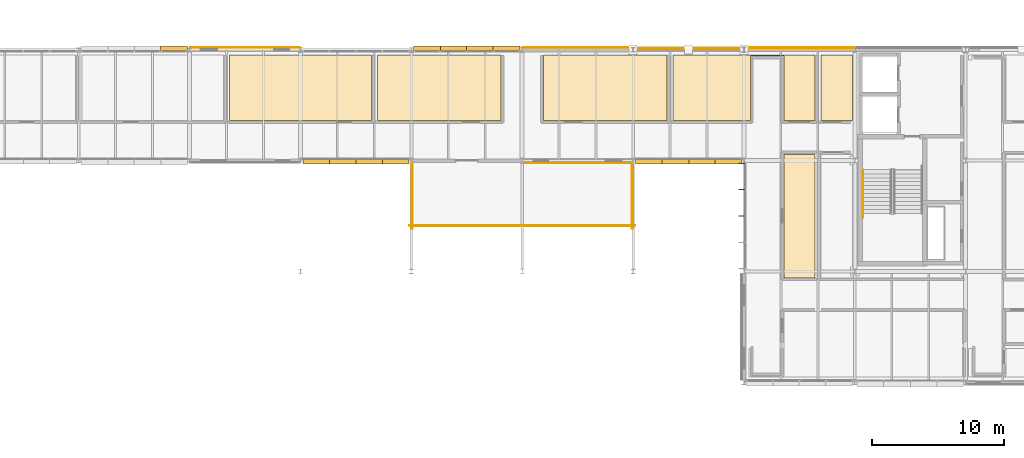
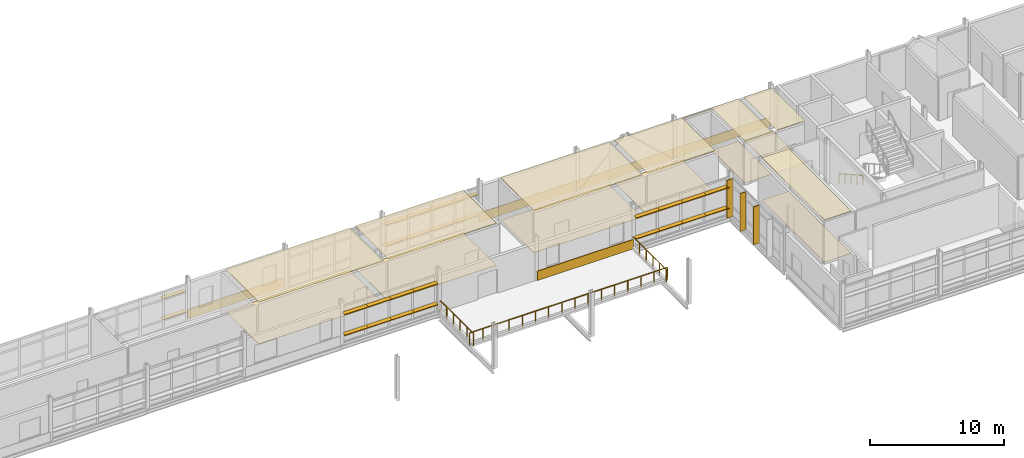
# One storey, part 54 of 57: 29 shading devices, 17 coverings, 4 railings.
"""IFC4 building model written with IfcOpenShell, lengths in metres."""

from ifc_helpers import new_model, si_unit, direction, frame, origin, origin_2d, place, context, subcontext, project, spatial, polyline, rectangle, circle, outline, extrude, material, layer, layer_set, type_object, element, save


model = new_model("IFC4")

# Units and contexts
model_context = context("Model", 3, precision=1e-05, world=origin(), true_north=direction((0.0, 1.0)))
body_context = subcontext(model_context, "Body", "Model", "MODEL_VIEW")
ifc_project = project(units=[si_unit("LENGTHUNIT", "METRE"), si_unit("AREAUNIT", "SQUARE_METRE"), si_unit("VOLUMEUNIT", "CUBIC_METRE"), si_unit("PLANEANGLEUNIT", "RADIAN"), si_unit("MASSUNIT", "GRAM", prefix="KILO")], contexts=[model_context])

# Site, building, storey
site_placement = place(None, origin())
site = spatial("IfcSite", under=ifc_project, at=site_placement, CompositionType="ELEMENT")
building_placement = place(site_placement, origin())
building = spatial("IfcBuilding", under=site, at=building_placement, Name="Mersafa Astral City Hall", CompositionType="ELEMENT")
storey_placement = place(building_placement, frame((0.0, 0.0, 26.10009765625)))
storey = spatial("IfcBuildingStorey", under=building, at=storey_placement, Name="L06", CompositionType="ELEMENT", Elevation=26.10009765625)

# Coverings
ifc_material_1 = material(Name="Cairo Mokattam buff limestone cladding", Category="masonry")
ifc_layer_1 = layer(ifc_material_1, 0.06005859375, Name="Cairo Mokattam buff limestone cladding")
ifc_layer_set_1 = layer_set([ifc_layer_1], Name="Cairo Mokattam buff limestone cladding — ENV-COV-LIMESTONE-60")
covering_type_1 = type_object("IfcCoveringType", Name="ENV-COV-LIMESTONE-60", PredefinedType="CLADDING", material=ifc_layer_set_1)
for number, where, z_axis, x_axis, name in (
    (1, (147.0, 126.14697265625, 0.0), (0.0, 0.0, 1.0), (-1.0, 0.0, 0.0), "L06 Cairo buff limestone rainscreen cladding 353"),
    (2, (138.60009765625, 126.139404296875, 0.0), (0.0, 0.0, 1.0), (-1.0, 0.0, 0.0), "L06 Cairo buff limestone rainscreen cladding 354"),
    (3, (130.199951171875, 126.177001953125, 0.0), (0.0, 0.0, 1.0), (-1.0, 0.0, 0.0), "L06 Cairo buff limestone rainscreen cladding 355"),
    (4, (105.0, 126.16943359375, 0.0), (0.0, 0.0, 1.0), (-1.0, 0.0, 0.0), "L06 Cairo buff limestone rainscreen cladding 356"),
    (5, (130.199951171875, 117.430419921875, 0.0), (0.0, 0.0, 1.0), (1.0, 0.0, 0.0), "L06 Cairo buff limestone rainscreen cladding 367"),
):
    element("IfcCovering", number, at=place(storey_placement, frame(where, z_axis=z_axis, x_axis=x_axis)), inside=storey, type_object=covering_type_1, Name=name, PredefinedType="CLADDING", context=body_context, shape_type="SweptSolid", body=[
        extrude(rectangle(XDim=8.323974609375, YDim=0.06005859375, at=origin_2d()), origin(), (0.0, 0.0, 1.0), 0.860107421875),
    ])

# Railings
ifc_material_2 = material(Name="Anodised bronze steel balustrade with laminated safety infill", Category="steel")
railing_type_1 = type_object("IfcRailingType", Name="ENV-RAIL-TERRACE-1120", PredefinedType="BALUSTRADE", material=ifc_material_2)
railing_1_placement = place(storey_placement, frame((134.330078125, 112.4599609375, 0.0)))
element("IfcRailing", 6, at=railing_1_placement, inside=storey, type_object=railing_type_1, Name="L06 Terrace perimeter guard balustrade 14", PredefinedType="BALUSTRADE", context=body_context, shape_type="SweptSolid", body=[
    extrude(circle(Radius=0.02392578125, at=origin_2d()), frame((0.0, 0.0, 1.09619140625), z_axis=(0.0, 1.0, 0.0), x_axis=(-1.0, 0.0, 0.0)), (0.0, 0.0, 1.0), 5.0),
    extrude(circle(Radius=0.02099609375, at=origin_2d()), origin(), (0.0, 0.0, 1.0), 1.072021484375),
    extrude(circle(Radius=0.02099609375, at=origin_2d()), frame((0.0, 1.0, 0.0)), (0.0, 0.0, 1.0), 1.072021484375),
    extrude(circle(Radius=0.02099609375, at=origin_2d()), frame((0.0, 2.0, 0.0)), (0.0, 0.0, 1.0), 1.072021484375),
    extrude(circle(Radius=0.02099609375, at=origin_2d()), frame((0.0, 3.0, 0.0)), (0.0, 0.0, 1.0), 1.072021484375),
    extrude(circle(Radius=0.02099609375, at=origin_2d()), frame((0.0, 4.0, 0.0)), (0.0, 0.0, 1.0), 1.072021484375),
    extrude(circle(Radius=0.02099609375, at=origin_2d()), frame((0.0, 5.0, 0.0)), (0.0, 0.0, 1.0), 1.072021484375),
])
railing_2_placement = place(storey_placement, frame((117.669921875, 117.4599609375, 0.0)))
element("IfcRailing", 7, at=railing_2_placement, inside=storey, type_object=railing_type_1, Name="L06 Terrace perimeter guard balustrade 15", PredefinedType="BALUSTRADE", context=body_context, shape_type="SweptSolid", body=[
    extrude(circle(Radius=0.02392578125, at=origin_2d()), frame((0.0, 0.0, 1.09619140625), z_axis=(0.0, -1.0, 0.0), x_axis=(1.0, 0.0, 0.0)), (0.0, 0.0, 1.0), 5.0),
    extrude(circle(Radius=0.02099609375, at=origin_2d()), origin(), (0.0, 0.0, 1.0), 1.072021484375),
    extrude(circle(Radius=0.02099609375, at=origin_2d()), frame((0.0, -1.0, 0.0)), (0.0, 0.0, 1.0), 1.072021484375),
    extrude(circle(Radius=0.02099609375, at=origin_2d()), frame((0.0, -2.0, 0.0)), (0.0, 0.0, 1.0), 1.072021484375),
    extrude(circle(Radius=0.02099609375, at=origin_2d()), frame((0.0, -3.0, 0.0)), (0.0, 0.0, 1.0), 1.072021484375),
    extrude(circle(Radius=0.02099609375, at=origin_2d()), frame((0.0, -4.0, 0.0)), (0.0, 0.0, 1.0), 1.072021484375),
    extrude(circle(Radius=0.02099609375, at=origin_2d()), frame((0.0, -5.0, 0.0)), (0.0, 0.0, 1.0), 1.072021484375),
])
railing_3_placement = place(storey_placement, frame((117.4599609375, 112.669921875, 0.0)))
element("IfcRailing", 8, at=railing_3_placement, inside=storey, type_object=railing_type_1, Name="L06 Terrace perimeter guard balustrade 16", PredefinedType="BALUSTRADE", context=body_context, shape_type="SweptSolid", body=[
    extrude(circle(Radius=0.02392578125, at=origin_2d()), frame((0.0, 0.0, 1.09619140625), z_axis=(1.0, 0.0, 0.0), x_axis=(0.0, 1.0, 0.0)), (0.0, 0.0, 1.0), 17.080078125),
    extrude(circle(Radius=0.02099609375, at=origin_2d()), origin(), (0.0, 0.0, 1.0), 1.072021484375),
    extrude(circle(Radius=0.02099609375, at=origin_2d()), frame((1.138671875, 0.0, 0.0)), (0.0, 0.0, 1.0), 1.072021484375),
    extrude(circle(Radius=0.02099609375, at=origin_2d()), frame((2.27734375, 0.0, 0.0)), (0.0, 0.0, 1.0), 1.072021484375),
    extrude(circle(Radius=0.02099609375, at=origin_2d()), frame((3.416015625, 0.0, 0.0)), (0.0, 0.0, 1.0), 1.072021484375),
    extrude(circle(Radius=0.02099609375, at=origin_2d()), frame((4.5546875, 0.0, 0.0)), (0.0, 0.0, 1.0), 1.072021484375),
    extrude(circle(Radius=0.02099609375, at=origin_2d()), frame((5.693359375, 0.0, 0.0)), (0.0, 0.0, 1.0), 1.072021484375),
    extrude(circle(Radius=0.02099609375, at=origin_2d()), frame((6.83203125, 0.0, 0.0)), (0.0, 0.0, 1.0), 1.072021484375),
    extrude(circle(Radius=0.02099609375, at=origin_2d()), frame((7.970703125, 0.0, 0.0)), (0.0, 0.0, 1.0), 1.072021484375),
    extrude(circle(Radius=0.02099609375, at=origin_2d()), frame((9.109375, 0.0, 0.0)), (0.0, 0.0, 1.0), 1.072021484375),
    extrude(circle(Radius=0.02099609375, at=origin_2d()), frame((10.248046875, 0.0, 0.0)), (0.0, 0.0, 1.0), 1.072021484375),
    extrude(circle(Radius=0.02099609375, at=origin_2d()), frame((11.38671875, 0.0, 0.0)), (0.0, 0.0, 1.0), 1.072021484375),
    extrude(circle(Radius=0.02099609375, at=origin_2d()), frame((12.525390625, 0.0, 0.0)), (0.0, 0.0, 1.0), 1.072021484375),
    extrude(circle(Radius=0.02099609375, at=origin_2d()), frame((13.6640625, 0.0, 0.0)), (0.0, 0.0, 1.0), 1.072021484375),
    extrude(circle(Radius=0.02099609375, at=origin_2d()), frame((14.802734375, 0.0, 0.0)), (0.0, 0.0, 1.0), 1.072021484375),
    extrude(circle(Radius=0.02099609375, at=origin_2d()), frame((15.94140625, 0.0, 0.0)), (0.0, 0.0, 1.0), 1.072021484375),
    extrude(circle(Radius=0.02099609375, at=origin_2d()), frame((17.080078125, 0.0, 0.0)), (0.0, 0.0, 1.0), 1.072021484375),
])

# Shading devices
ifc_material_3 = material(Name="Anodised bronze aluminium solar fin", Category="aluminium")
shading_device_type_1 = type_object("IfcShadingDeviceType", Name="ENV-SHD-FIN-500A", PredefinedType="USERDEFINED", material=ifc_material_3)
for number, where, z_axis, x_axis, name in (
    (9, (142.655029296875, 117.387939453125, -0.01513671875), (0.0, 0.0, 1.0), (0.0, -1.0, 0.0), "L06 Vertical bronze solar fin 1595"),
    (10, (142.655029296875, 115.41162109375, -0.01513671875), (0.0, 0.0, 1.0), (0.0, -1.0, 0.0), "L06 Vertical bronze solar fin 1596"),
    (11, (142.655029296875, 113.405029296875, -0.01513671875), (0.0, 0.0, 1.0), (0.0, -1.0, 0.0), "L06 Vertical bronze solar fin 1597"),
):
    element("IfcShadingDevice", number, at=place(storey_placement, frame(where, z_axis=z_axis, x_axis=x_axis)), inside=storey, type_object=shading_device_type_1, Name=name, ObjectType="FIN", PredefinedType="USERDEFINED", context=body_context, shape_type="SweptSolid", body=[
        extrude(rectangle(XDim=0.06005859375, YDim=0.5, at=origin_2d()), origin(), (0.0, 0.0, 1.0), 3.45703125),
    ])
ifc_material_4 = material(Name="Kiln-dried cedar timber brise-soleil blade", Category="wood")
shading_device_type_2 = type_object("IfcShadingDeviceType", Name="ENV-SHD-LOUVRE-380", PredefinedType="JALOUSIE", material=ifc_material_4)
shading_device_1_placement = place(storey_placement, frame((135.58642578125, 117.52001953125, 0.81494140625), z_axis=(0.0, 0.0, 1.0), x_axis=(1.0, 0.0, 0.0)))
element("IfcShadingDevice", 12, at=shading_device_1_placement, inside=storey, type_object=shading_device_type_2, Name="L06 Horizontal cedar brise-soleil louvre 1587", PredefinedType="JALOUSIE", context=body_context, shape_type="SweptSolid", body=[
    extrude(rectangle(XDim=2.029052734375, YDim=0.3798828125, at=origin_2d()), origin(), (0.0, 0.0, 1.0), 0.070068359375),
])
for number, where, z_axis, x_axis, name in (
    (13, (137.590576171875, 117.52001953125, 0.81494140625), (0.0, 0.0, 1.0), (1.0, 0.0, 0.0), "L06 Horizontal cedar brise-soleil louvre 1588"),
    (14, (139.609619140625, 117.52001953125, 0.81494140625), (0.0, 0.0, 1.0), (1.0, 0.0, 0.0), "L06 Horizontal cedar brise-soleil louvre 1589"),
):
    element("IfcShadingDevice", number, at=place(storey_placement, frame(where, z_axis=z_axis, x_axis=x_axis)), inside=storey, type_object=shading_device_type_2, Name=name, PredefinedType="JALOUSIE", context=body_context, shape_type="SweptSolid", body=[
        extrude(rectangle(XDim=2.05908203125, YDim=0.3798828125, at=origin_2d()), origin(), (0.0, 0.0, 1.0), 0.070068359375),
    ])
for number, where, z_axis, x_axis, name in (
    (15, (141.613525390625, 117.52001953125, 0.81494140625), (0.0, 0.0, 1.0), (1.0, 0.0, 0.0), "L06 Horizontal cedar brise-soleil louvre 1590"),
    (16, (135.58642578125, 117.52001953125, 2.71484375), (0.0, 0.0, 1.0), (1.0, 0.0, 0.0), "L06 Horizontal cedar brise-soleil louvre 1591"),
):
    element("IfcShadingDevice", number, at=place(storey_placement, frame(where, z_axis=z_axis, x_axis=x_axis)), inside=storey, type_object=shading_device_type_2, Name=name, PredefinedType="JALOUSIE", context=body_context, shape_type="SweptSolid", body=[
        extrude(rectangle(XDim=2.029052734375, YDim=0.3798828125, at=origin_2d()), origin(), (0.0, 0.0, 1.0), 0.070068359375),
    ])
for number, where, z_axis, x_axis, name in (
    (17, (137.590576171875, 117.52001953125, 2.71484375), (0.0, 0.0, 1.0), (1.0, 0.0, 0.0), "L06 Horizontal cedar brise-soleil louvre 1592"),
    (18, (139.609619140625, 117.52001953125, 2.71484375), (0.0, 0.0, 1.0), (1.0, 0.0, 0.0), "L06 Horizontal cedar brise-soleil louvre 1593"),
):
    element("IfcShadingDevice", number, at=place(storey_placement, frame(where, z_axis=z_axis, x_axis=x_axis)), inside=storey, type_object=shading_device_type_2, Name=name, PredefinedType="JALOUSIE", context=body_context, shape_type="SweptSolid", body=[
        extrude(rectangle(XDim=2.05908203125, YDim=0.3798828125, at=origin_2d()), origin(), (0.0, 0.0, 1.0), 0.070068359375),
    ])
for number, where, z_axis, x_axis, name in (
    (19, (141.613525390625, 117.52001953125, 2.71484375), (0.0, 0.0, 1.0), (1.0, 0.0, 0.0), "L06 Horizontal cedar brise-soleil louvre 1594"),
    (20, (124.8134765625, 126.080078125, 0.81494140625), (0.0, 0.0, 1.0), (-1.0, 0.0, 0.0), "L06 Horizontal cedar brise-soleil louvre 1645"),
):
    element("IfcShadingDevice", number, at=place(storey_placement, frame(where, z_axis=z_axis, x_axis=x_axis)), inside=storey, type_object=shading_device_type_2, Name=name, PredefinedType="JALOUSIE", context=body_context, shape_type="SweptSolid", body=[
        extrude(rectangle(XDim=2.029052734375, YDim=0.3798828125, at=origin_2d()), origin(), (0.0, 0.0, 1.0), 0.070068359375),
    ])
for number, where, z_axis, x_axis, name in (
    (21, (122.8095703125, 126.080078125, 0.81494140625), (0.0, 0.0, 1.0), (-1.0, 0.0, 0.0), "L06 Horizontal cedar brise-soleil louvre 1646"),
    (22, (120.79052734375, 126.080078125, 0.81494140625), (0.0, 0.0, 1.0), (-1.0, 0.0, 0.0), "L06 Horizontal cedar brise-soleil louvre 1647"),
):
    element("IfcShadingDevice", number, at=place(storey_placement, frame(where, z_axis=z_axis, x_axis=x_axis)), inside=storey, type_object=shading_device_type_2, Name=name, PredefinedType="JALOUSIE", context=body_context, shape_type="SweptSolid", body=[
        extrude(rectangle(XDim=2.05908203125, YDim=0.3798828125, at=origin_2d()), origin(), (0.0, 0.0, 1.0), 0.070068359375),
    ])
for number, where, z_axis, x_axis, name in (
    (23, (118.78662109375, 126.080078125, 0.81494140625), (0.0, 0.0, 1.0), (-1.0, 0.0, 0.0), "L06 Horizontal cedar brise-soleil louvre 1648"),
    (24, (124.8134765625, 126.080078125, 2.71484375), (0.0, 0.0, 1.0), (-1.0, 0.0, 0.0), "L06 Horizontal cedar brise-soleil louvre 1649"),
):
    element("IfcShadingDevice", number, at=place(storey_placement, frame(where, z_axis=z_axis, x_axis=x_axis)), inside=storey, type_object=shading_device_type_2, Name=name, PredefinedType="JALOUSIE", context=body_context, shape_type="SweptSolid", body=[
        extrude(rectangle(XDim=2.029052734375, YDim=0.3798828125, at=origin_2d()), origin(), (0.0, 0.0, 1.0), 0.070068359375),
    ])
for number, where, z_axis, x_axis, name in (
    (25, (122.8095703125, 126.080078125, 2.71484375), (0.0, 0.0, 1.0), (-1.0, 0.0, 0.0), "L06 Horizontal cedar brise-soleil louvre 1650"),
    (26, (120.79052734375, 126.080078125, 2.71484375), (0.0, 0.0, 1.0), (-1.0, 0.0, 0.0), "L06 Horizontal cedar brise-soleil louvre 1651"),
):
    element("IfcShadingDevice", number, at=place(storey_placement, frame(where, z_axis=z_axis, x_axis=x_axis)), inside=storey, type_object=shading_device_type_2, Name=name, PredefinedType="JALOUSIE", context=body_context, shape_type="SweptSolid", body=[
        extrude(rectangle(XDim=2.05908203125, YDim=0.3798828125, at=origin_2d()), origin(), (0.0, 0.0, 1.0), 0.070068359375),
    ])
for number, where, z_axis, x_axis, name in (
    (27, (118.78662109375, 126.080078125, 2.71484375), (0.0, 0.0, 1.0), (-1.0, 0.0, 0.0), "L06 Horizontal cedar brise-soleil louvre 1652"),
    (28, (99.613525390625, 126.080078125, 0.81494140625), (0.0, 0.0, 1.0), (-1.0, 0.0, 0.0), "L06 Horizontal cedar brise-soleil louvre 1653"),
    (29, (99.613525390625, 126.080078125, 2.71484375), (0.0, 0.0, 1.0), (-1.0, 0.0, 0.0), "L06 Horizontal cedar brise-soleil louvre 1657"),
    (30, (110.386474609375, 117.52001953125, 0.81494140625), (0.0, 0.0, 1.0), (1.0, 0.0, 0.0), "L06 Horizontal cedar brise-soleil louvre 1701"),
):
    element("IfcShadingDevice", number, at=place(storey_placement, frame(where, z_axis=z_axis, x_axis=x_axis)), inside=storey, type_object=shading_device_type_2, Name=name, PredefinedType="JALOUSIE", context=body_context, shape_type="SweptSolid", body=[
        extrude(rectangle(XDim=2.029052734375, YDim=0.3798828125, at=origin_2d()), origin(), (0.0, 0.0, 1.0), 0.070068359375),
    ])
for number, where, z_axis, x_axis, name in (
    (31, (112.390380859375, 117.52001953125, 0.81494140625), (0.0, 0.0, 1.0), (1.0, 0.0, 0.0), "L06 Horizontal cedar brise-soleil louvre 1702"),
    (32, (114.409423828125, 117.52001953125, 0.81494140625), (0.0, 0.0, 1.0), (1.0, 0.0, 0.0), "L06 Horizontal cedar brise-soleil louvre 1703"),
):
    element("IfcShadingDevice", number, at=place(storey_placement, frame(where, z_axis=z_axis, x_axis=x_axis)), inside=storey, type_object=shading_device_type_2, Name=name, PredefinedType="JALOUSIE", context=body_context, shape_type="SweptSolid", body=[
        extrude(rectangle(XDim=2.05908203125, YDim=0.3798828125, at=origin_2d()), origin(), (0.0, 0.0, 1.0), 0.070068359375),
    ])
for number, where, z_axis, x_axis, name in (
    (33, (116.41357421875, 117.52001953125, 0.81494140625), (0.0, 0.0, 1.0), (1.0, 0.0, 0.0), "L06 Horizontal cedar brise-soleil louvre 1704"),
    (34, (110.386474609375, 117.52001953125, 2.71484375), (0.0, 0.0, 1.0), (1.0, 0.0, 0.0), "L06 Horizontal cedar brise-soleil louvre 1705"),
):
    element("IfcShadingDevice", number, at=place(storey_placement, frame(where, z_axis=z_axis, x_axis=x_axis)), inside=storey, type_object=shading_device_type_2, Name=name, PredefinedType="JALOUSIE", context=body_context, shape_type="SweptSolid", body=[
        extrude(rectangle(XDim=2.029052734375, YDim=0.3798828125, at=origin_2d()), origin(), (0.0, 0.0, 1.0), 0.070068359375),
    ])
for number, where, z_axis, x_axis, name in (
    (35, (112.390380859375, 117.52001953125, 2.71484375), (0.0, 0.0, 1.0), (1.0, 0.0, 0.0), "L06 Horizontal cedar brise-soleil louvre 1706"),
    (36, (114.409423828125, 117.52001953125, 2.71484375), (0.0, 0.0, 1.0), (1.0, 0.0, 0.0), "L06 Horizontal cedar brise-soleil louvre 1707"),
):
    element("IfcShadingDevice", number, at=place(storey_placement, frame(where, z_axis=z_axis, x_axis=x_axis)), inside=storey, type_object=shading_device_type_2, Name=name, PredefinedType="JALOUSIE", context=body_context, shape_type="SweptSolid", body=[
        extrude(rectangle(XDim=2.05908203125, YDim=0.3798828125, at=origin_2d()), origin(), (0.0, 0.0, 1.0), 0.070068359375),
    ])
shading_device_2_placement = place(storey_placement, frame((116.41357421875, 117.52001953125, 2.71484375), z_axis=(0.0, 0.0, 1.0), x_axis=(1.0, 0.0, 0.0)))
element("IfcShadingDevice", 37, at=shading_device_2_placement, inside=storey, type_object=shading_device_type_2, Name="L06 Horizontal cedar brise-soleil louvre 1708", PredefinedType="JALOUSIE", context=body_context, shape_type="SweptSolid", body=[
    extrude(rectangle(XDim=2.029052734375, YDim=0.3798828125, at=origin_2d()), origin(), (0.0, 0.0, 1.0), 0.070068359375),
])

# Railing
ifc_material_5 = material(Name="Brushed stainless steel tubular handrail", Category="steel")
railing_type_2 = type_object("IfcRailingType", Name="HANDRAIL", PredefinedType="HANDRAIL", material=ifc_material_5)
railing_4_placement = place(storey_placement, frame((151.830078125, 116.89990234375, 0.168701171875)))
element("IfcRailing", 38, at=railing_4_placement, inside=storey, type_object=railing_type_2, Name="L06 ST1 stair handrail 1", PredefinedType="HANDRAIL", context=body_context, shape_type="SweptSolid", body=[
    extrude(circle(Radius=0.02392578125, at=origin_2d()), frame((0.0, 0.0, 0.8759765625), z_axis=(0.0, -0.871273963605, 0.490796984856), x_axis=(1.0, 0.0, 0.0)), (0.0, 0.0, 1.0), 4.131591796875),
    extrude(circle(Radius=0.02099609375, at=origin_2d()), origin(), (0.0, 0.0, 1.0), 0.851806640625),
    extrude(circle(Radius=0.02099609375, at=origin_2d()), frame((0.0, -0.89990234375, 0.5068359375)), (0.0, 0.0, 1.0), 0.851806640625),
    extrude(circle(Radius=0.02099609375, at=origin_2d()), frame((0.0, -1.7998046875, 1.013916015625)), (0.0, 0.0, 1.0), 0.851806640625),
    extrude(circle(Radius=0.02099609375, at=origin_2d()), frame((0.0, -2.699951171875, 1.52099609375)), (0.0, 0.0, 1.0), 0.851806640625),
    extrude(circle(Radius=0.02099609375, at=origin_2d()), frame((0.0, -3.599853515625, 2.02783203125)), (0.0, 0.0, 1.0), 0.851806640625),
])

# Coverings
ifc_material_6 = material(Name="Perforated acoustic gypsum board ceiling", Category="gypsum")
ifc_layer_2 = layer(ifc_material_6, 0.02490234375, Name="Perforated acoustic gypsum board ceiling")
ifc_layer_set_2 = layer_set([ifc_layer_2], Name="Perforated acoustic gypsum board ceiling — INT-COV-CEIL-25")
covering_type_2 = type_object("IfcCoveringType", Name="INT-COV-CEIL-25", PredefinedType="CEILING", material=ifc_layer_set_2)
covering_1_placement = place(storey_placement, frame((0.0, 0.0, 3.830810546875)))
element("IfcCovering", 39, at=covering_1_placement, inside=storey, type_object=covering_type_2, Name="L06 Public Restroom L06-07 acoustic ceiling", PredefinedType="CEILING", context=body_context, shape_type="SweptSolid", body=[
    extrude(outline(polyline([(103.830078125, 120.639892578125), (103.830078125, 125.60009765625), (114.570068359375, 125.60009765625), (114.570068359375, 120.639892578125), (103.830078125, 120.639892578125)])), origin(), (0.0, 0.0, 1.0), 0.025146484375),
])
covering_2_placement = place(storey_placement, frame((0.0, 0.0, 3.85595703125)))
element("IfcCovering", 40, at=covering_2_placement, inside=storey, type_object=covering_type_2, Name="L06 Mayoral Suite L06-08 acoustic ceiling", PredefinedType="CEILING", context=body_context, shape_type="SweptSolid", body=[
    extrude(outline(polyline([(115.030029296875, 120.639892578125), (115.030029296875, 125.60009765625), (124.3798828125, 125.60009765625), (124.3798828125, 120.639892578125), (115.030029296875, 120.639892578125)])), origin(), (0.0, 0.0, 1.0), 0.02490234375),
])
covering_3_placement = place(storey_placement, frame((0.0, 0.0, 3.85595703125)))
element("IfcCovering", 41, at=covering_3_placement, inside=storey, type_object=covering_type_2, Name="L06 Ceremonial Conference Room L06-09 acoustic ceiling", PredefinedType="CEILING", context=body_context, shape_type="SweptSolid", body=[
    extrude(outline(polyline([(136.969970703125, 125.60009765625), (136.969970703125, 120.639892578125), (127.6201171875, 120.639892578125), (127.6201171875, 125.60009765625), (136.969970703125, 125.60009765625)])), origin(), (0.0, 0.0, 1.0), 0.02490234375),
])
covering_4_placement = place(storey_placement, frame((0.0, 0.0, 3.85595703125)))
element("IfcCovering", 42, at=covering_4_placement, inside=storey, type_object=covering_type_2, Name="L06 Executive Briefing Room L06-11 acoustic ceiling", PredefinedType="CEILING", context=body_context, shape_type="SweptSolid", body=[
    extrude(outline(polyline([(143.280029296875, 125.52001953125), (143.280029296875, 120.639892578125), (137.429931640625, 120.639892578125), (137.429931640625, 125.60009765625), (148.169921875, 125.60009765625), (148.169921875, 120.639892578125), (145.840087890625, 120.639892578125), (145.840087890625, 125.52001953125), (143.280029296875, 125.52001953125)])), origin(), (0.0, 0.0, 1.0), 0.02490234375),
])
covering_5_placement = place(storey_placement, frame((0.0, 0.0, 3.85595703125)))
element("IfcCovering", 43, at=covering_5_placement, inside=storey, type_object=covering_type_2, Name="L06 Mayoral Suite L06-15 acoustic ceiling", PredefinedType="CEILING", context=body_context, shape_type="SweptSolid", body=[
    extrude(outline(polyline([(148.169921875, 118.080078125), (148.169921875, 108.719970703125), (145.840087890625, 108.719970703125), (145.840087890625, 118.080078125), (148.169921875, 118.080078125)])), origin(), (0.0, 0.0, 1.0), 0.02490234375),
])
covering_6_placement = place(storey_placement, frame((0.0, 0.0, 3.85595703125)))
element("IfcCovering", 44, at=covering_6_placement, inside=storey, type_object=covering_type_2, Name="L06 Executive Briefing Room L06-18 acoustic ceiling", PredefinedType="CEILING", context=body_context, shape_type="SweptSolid", body=[
    extrude(outline(polyline([(148.6298828125, 125.60009765625), (151.0400390625, 125.60009765625), (151.0400390625, 120.639892578125), (148.6298828125, 120.639892578125), (148.6298828125, 125.60009765625)])), origin(), (0.0, 0.0, 1.0), 0.02490234375),
])
ifc_material_7 = material(Name="Heavy-duty woven acoustic carpet tile", Category="finish")
ifc_layer_3 = layer(ifc_material_7, 0.014892578125, Name="Heavy-duty woven acoustic carpet tile")
ifc_layer_set_3 = layer_set([ifc_layer_3], Name="Heavy-duty woven acoustic carpet tile — INT-COV-FLR-15")
covering_type_3 = type_object("IfcCoveringType", Name="INT-COV-FLR-15", PredefinedType="FLOORING", material=ifc_layer_set_3)
covering_7_placement = place(storey_placement, frame((0.0, 0.0, -0.001708984375)))
element("IfcCovering", 45, at=covering_7_placement, inside=storey, type_object=covering_type_3, Name="L06 Public Restroom L06-07 architectural flooring", PredefinedType="FLOORING", context=body_context, shape_type="SweptSolid", body=[
    extrude(outline(polyline([(103.830078125, 120.639892578125), (103.830078125, 125.60009765625), (114.570068359375, 125.60009765625), (114.570068359375, 120.639892578125), (103.830078125, 120.639892578125)])), origin(), (0.0, 0.0, 1.0), 0.014892578125),
])
covering_8_placement = place(storey_placement, frame((0.0, 0.0, -0.001708984375)))
element("IfcCovering", 46, at=covering_8_placement, inside=storey, type_object=covering_type_3, Name="L06 Mayoral Suite L06-08 architectural flooring", PredefinedType="FLOORING", context=body_context, shape_type="SweptSolid", body=[
    extrude(outline(polyline([(115.030029296875, 120.639892578125), (115.030029296875, 125.60009765625), (124.3798828125, 125.60009765625), (124.3798828125, 120.639892578125), (115.030029296875, 120.639892578125)])), origin(), (0.0, 0.0, 1.0), 0.014892578125),
])
covering_9_placement = place(storey_placement, frame((0.0, 0.0, -0.001708984375)))
element("IfcCovering", 47, at=covering_9_placement, inside=storey, type_object=covering_type_3, Name="L06 Ceremonial Conference Room L06-09 architectural flooring", PredefinedType="FLOORING", context=body_context, shape_type="SweptSolid", body=[
    extrude(outline(polyline([(136.969970703125, 125.60009765625), (136.969970703125, 120.639892578125), (127.6201171875, 120.639892578125), (127.6201171875, 125.60009765625), (136.969970703125, 125.60009765625)])), origin(), (0.0, 0.0, 1.0), 0.014892578125),
])
covering_10_placement = place(storey_placement, frame((0.0, 0.0, -0.001708984375)))
element("IfcCovering", 48, at=covering_10_placement, inside=storey, type_object=covering_type_3, Name="L06 Executive Briefing Room L06-11 architectural flooring", PredefinedType="FLOORING", context=body_context, shape_type="SweptSolid", body=[
    extrude(outline(polyline([(143.280029296875, 125.52001953125), (143.280029296875, 120.639892578125), (137.429931640625, 120.639892578125), (137.429931640625, 125.60009765625), (148.169921875, 125.60009765625), (148.169921875, 120.639892578125), (145.840087890625, 120.639892578125), (145.840087890625, 125.52001953125), (143.280029296875, 125.52001953125)])), origin(), (0.0, 0.0, 1.0), 0.014892578125),
])
covering_11_placement = place(storey_placement, frame((0.0, 0.0, -0.001708984375)))
element("IfcCovering", 49, at=covering_11_placement, inside=storey, type_object=covering_type_3, Name="L06 Mayoral Suite L06-15 architectural flooring", PredefinedType="FLOORING", context=body_context, shape_type="SweptSolid", body=[
    extrude(outline(polyline([(148.169921875, 118.080078125), (148.169921875, 108.719970703125), (145.840087890625, 108.719970703125), (145.840087890625, 118.080078125), (148.169921875, 118.080078125)])), origin(), (0.0, 0.0, 1.0), 0.014892578125),
])
covering_12_placement = place(storey_placement, frame((0.0, 0.0, -0.001708984375)))
element("IfcCovering", 50, at=covering_12_placement, inside=storey, type_object=covering_type_3, Name="L06 Executive Briefing Room L06-18 architectural flooring", PredefinedType="FLOORING", context=body_context, shape_type="SweptSolid", body=[
    extrude(outline(polyline([(148.6298828125, 125.60009765625), (151.0400390625, 125.60009765625), (151.0400390625, 120.639892578125), (148.6298828125, 120.639892578125), (148.6298828125, 125.60009765625)])), origin(), (0.0, 0.0, 1.0), 0.014892578125),
])

save(model, "model.ifc")
